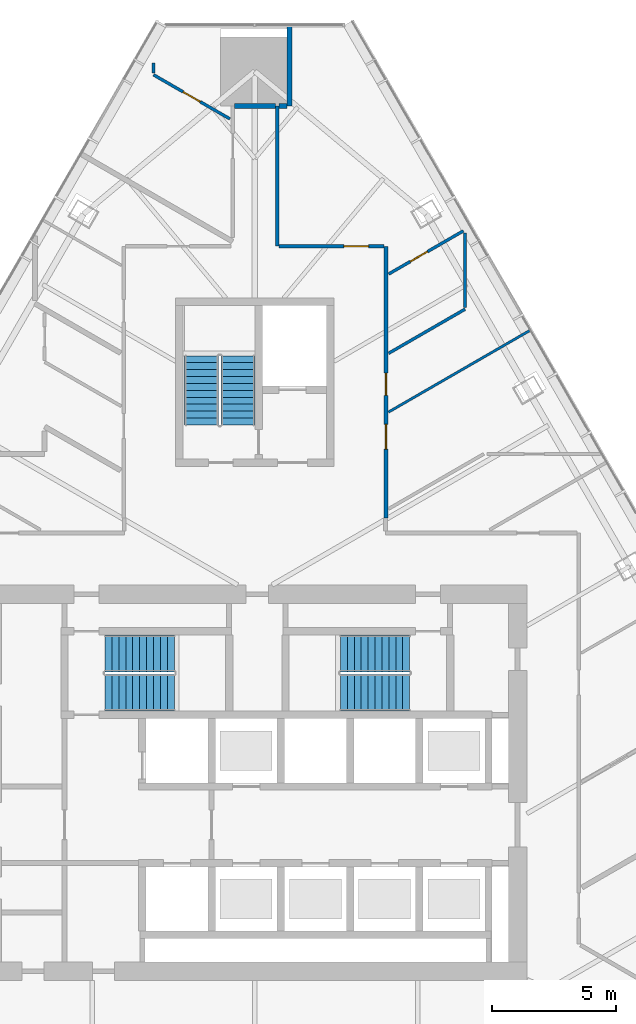
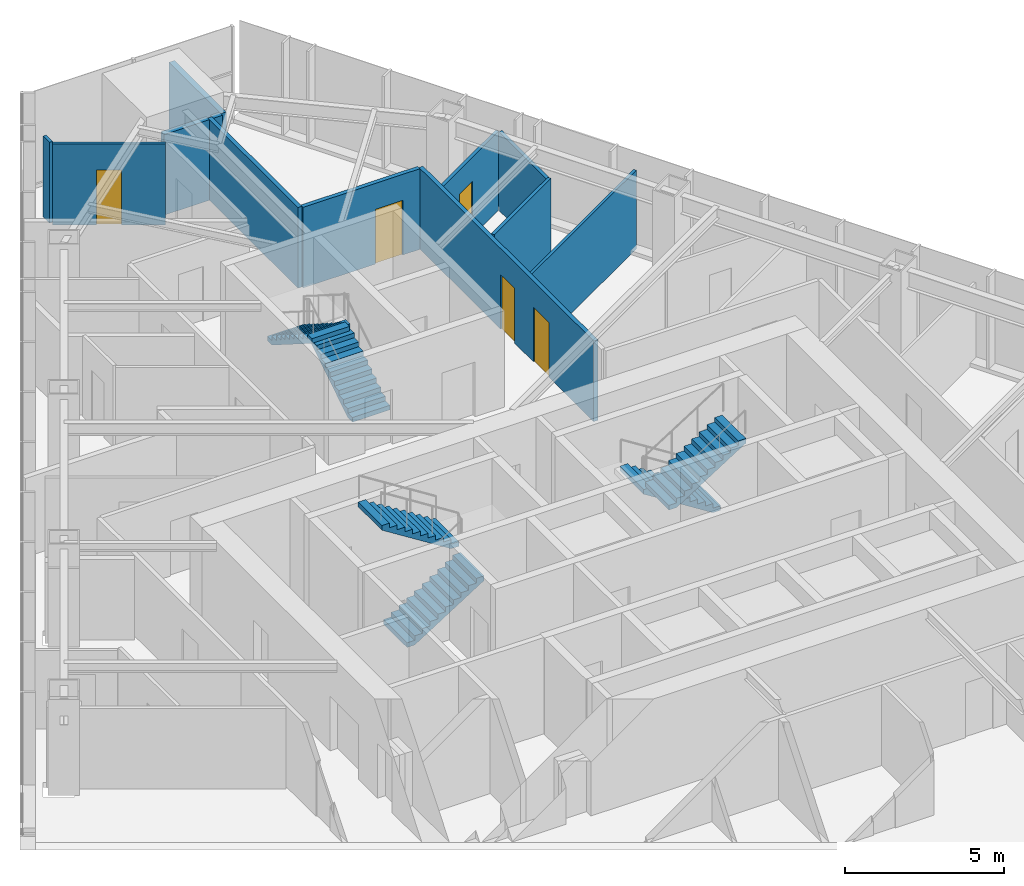
# One storey, part 14 of 16: 12 walls, 6 stair flights, 5 doors, 5 openings, 3 elements without a shape of their own.
"""IFC4 building model written with IfcOpenShell, lengths in metres."""

from ifc_helpers import new_model, si_unit, direction, frame, frame_2d, origin, place, context, subcontext, project, spatial, polyline, rectangle, outline, extrude, material, layer, layer_set, type_object, element, fill, aggregate, save


model = new_model("IFC4")

# Units and contexts
model_context = context("Model", 3, precision=1e-05, world=origin(), true_north=direction((0.0, 1.0)))
body_context = subcontext(model_context, "Body", "Model", "MODEL_VIEW")
ifc_project = project(units=[si_unit("LENGTHUNIT", "METRE"), si_unit("AREAUNIT", "SQUARE_METRE"), si_unit("VOLUMEUNIT", "CUBIC_METRE"), si_unit("PLANEANGLEUNIT", "RADIAN"), si_unit("MASSUNIT", "GRAM", prefix="KILO")], contexts=[model_context])

# Site, building, storey
site_placement = place(None, origin())
site = spatial("IfcSite", under=ifc_project, at=site_placement, CompositionType="ELEMENT")
building_placement = place(site_placement, origin())
building = spatial("IfcBuilding", under=site, at=building_placement, Name="Firuza Gate Tower and Library", CompositionType="ELEMENT")
storey_placement = place(building_placement, frame((0.0, 0.0, 229.89990234375)))
storey = spatial("IfcBuildingStorey", under=building, at=storey_placement, Name="L54", CompositionType="ELEMENT", Elevation=229.89990234375)

# Wall, opening, door
ifc_material_1 = material(Name="Gypsum board partition")
ifc_layer_1 = layer(ifc_material_1, 0.14990234375)
ifc_layer_set_1 = layer_set([ifc_layer_1], Name="Corridor wall 150 double board on steel studs")
wall_type_1 = type_object("IfcWallType", Name="Corridor wall 150 double board on steel studs", PredefinedType="PARTITIONING", material=ifc_layer_set_1)
wall_1_placement = place(storey_placement, frame((75.97509765625, 96.699951171875, 0.0), z_axis=(0.0, 0.0, 1.0), x_axis=(1.0, 0.0, 0.0)))
wall_1 = element("IfcWall", 1, at=wall_1_placement, inside=storey, type_object=wall_type_1, Name="f:L54:w017", PredefinedType="PARTITIONING", context=body_context, shape_type="SweptSolid", body=[
    extrude(rectangle(XDim=4.24951171875, YDim=0.14990234375, at=frame_2d((2.124755859375, 0.0))), origin(), (0.0, 0.0, 1.0), 3.10009765625),
])
opening_1_placement = place(wall_1_placement, frame((2.6220703125, 0.0, 0.0)))
opening_1 = element("IfcOpeningElement", 2, at=opening_1_placement, cuts=wall_1, Name="Opening L54-12", PredefinedType="OPENING", context=body_context, shape_type="SweptSolid", body=[
    extrude(rectangle(XDim=1.0, YDim=2.10009765625, at=frame_2d((0.5, 1.050048828125))), frame((0.0, 0.0849609375, 0.0), z_axis=(0.0, -1.0, 0.0), x_axis=(1.0, 0.0, 0.0)), (0.0, 0.0, 1.0), 0.169921875),
])
ifc_material_2 = material(Name="Steel door and timber leaf", Category="steel")
door_type_1 = type_object("IfcDoorType", Name="Fire door 1000 x 2100 steel frame, timber leaf", OperationType="NOTDEFINED", PredefinedType="DOOR", material=ifc_material_2)
door_1_placement = place(opening_1_placement, origin())
door_1 = element("IfcDoor", 3, at=door_1_placement, inside=storey, type_object=door_type_1, Name="f:L54:d012", OperationType="SINGLE_SWING_LEFT", OverallHeight=2.10009765625, OverallWidth=1.0, PredefinedType="DOOR", context=body_context, shape_type="SweptSolid", body=[
    extrude(rectangle(XDim=1.0, YDim=2.10009765625, at=frame_2d((0.5, 1.050048828125))), frame((0.0, 0.02490234375, 0.0), z_axis=(0.0, -1.0, 0.0), x_axis=(1.0, 0.0, 0.0)), (0.0, 0.0, 1.0), 0.050048828125),
])
fill(opening_1, door_1)

# Wall, openings, doors
wall_2_placement = place(storey_placement, frame((80.300048828125, 96.699462890625, 0.0), z_axis=(0.0, 0.0, 1.0), x_axis=(0.0, -1.0, 0.0)))
wall_2 = element("IfcWall", 4, at=wall_2_placement, inside=storey, type_object=wall_type_1, Name="f:L54:w045", PredefinedType="PARTITIONING", context=body_context, shape_type="SweptSolid", body=[
    extrude(rectangle(XDim=10.9990234375, YDim=0.14990234375, at=frame_2d((5.49951171875, 0.0))), origin(), (0.0, 0.0, 1.0), 3.10009765625),
])
opening_2_placement = place(wall_2_placement, frame((5.12939453125, 0.0, 0.0)))
opening_2 = element("IfcOpeningElement", 5, at=opening_2_placement, cuts=wall_2, Name="Opening L54-24", PredefinedType="OPENING", context=body_context, shape_type="SweptSolid", body=[
    extrude(rectangle(XDim=0.89990234375, YDim=2.10009765625, at=frame_2d((0.449951171875, 1.050048828125))), frame((0.0, 0.0849609375, 0.0), z_axis=(0.0, -1.0, 0.0), x_axis=(1.0, 0.0, 0.0)), (0.0, 0.0, 1.0), 0.169921875),
])
opening_3_placement = place(wall_2_placement, frame((7.2021484375, 0.0, 0.0)))
opening_3 = element("IfcOpeningElement", 6, at=opening_3_placement, cuts=wall_2, Name="Opening L54-25", PredefinedType="OPENING", context=body_context, shape_type="SweptSolid", body=[
    extrude(rectangle(XDim=1.0, YDim=2.10009765625, at=frame_2d((0.5, 1.050048828125))), frame((0.0, 0.0849609375, 0.0), z_axis=(0.0, -1.0, 0.0), x_axis=(1.0, 0.0, 0.0)), (0.0, 0.0, 1.0), 0.169921875),
])
door_2_placement = place(opening_3_placement, origin())
door_2 = element("IfcDoor", 7, at=door_2_placement, inside=storey, type_object=door_type_1, Name="f:L54:d025", OperationType="SINGLE_SWING_LEFT", OverallHeight=2.10009765625, OverallWidth=1.0, PredefinedType="DOOR", context=body_context, shape_type="SweptSolid", body=[
    extrude(rectangle(XDim=1.0, YDim=2.10009765625, at=frame_2d((0.5, 1.050048828125))), frame((0.0, 0.02490234375, 0.0), z_axis=(0.0, -1.0, 0.0), x_axis=(1.0, 0.0, 0.0)), (0.0, 0.0, 1.0), 0.050048828125),
])
fill(opening_3, door_2)
ifc_material_3 = material(Name="Steel door and timber leaf", Category="steel")
door_type_2 = type_object("IfcDoorType", Name="Fire door 900 x 2100 steel frame, timber leaf", OperationType="NOTDEFINED", PredefinedType="DOOR", material=ifc_material_3)
door_3_placement = place(opening_2_placement, origin())
door_3 = element("IfcDoor", 8, at=door_3_placement, inside=storey, type_object=door_type_2, Name="f:L54:d024", OperationType="SINGLE_SWING_LEFT", OverallHeight=2.10009765625, OverallWidth=0.89990234375, PredefinedType="DOOR", context=body_context, shape_type="SweptSolid", body=[
    extrude(rectangle(XDim=0.89990234375, YDim=2.10009765625, at=frame_2d((0.449951171875, 1.050048828125))), frame((0.0, 0.02490234375, 0.0), z_axis=(0.0, -1.0, 0.0), x_axis=(1.0, 0.0, 0.0)), (0.0, 0.0, 1.0), 0.050048828125),
])
fill(opening_2, door_3)

# Walls
wall_3_placement = place(storey_placement, frame((75.89990234375, 96.699951171875, 0.0), z_axis=(0.0, 0.0, 1.0), x_axis=(0.0, 1.0, 0.0)))
element("IfcWall", 9, at=wall_3_placement, inside=storey, type_object=wall_type_1, Name="f:L54:w049", PredefinedType="PARTITIONING", context=body_context, shape_type="SweptSolid", body=[
    extrude(rectangle(XDim=5.672607421875, YDim=0.14990234375, at=frame_2d((2.83642578125, 0.0))), origin(), (0.0, 0.0, 1.0), 3.10009765625),
])
ifc_material_4 = material(Name="Gypsum board partition")
ifc_layer_2 = layer(ifc_material_4, 0.199951171875)
ifc_layer_set_2 = layer_set([ifc_layer_2], Name="Demising wall 200 acoustic double stud")
wall_type_2 = type_object("IfcWallType", Name="Demising wall 200 acoustic double stud", PredefinedType="PARTITIONING", material=ifc_layer_set_2)
wall_4_placement = place(storey_placement, frame((74.175537109375, 102.373046875, 0.0), z_axis=(0.0, 0.0, 1.0), x_axis=(1.0, 0.0, 0.0)))
element("IfcWall", 10, at=wall_4_placement, inside=storey, type_object=wall_type_2, Name="f:L54:w018", PredefinedType="PARTITIONING", context=body_context, shape_type="SweptSolid", body=[
    extrude(rectangle(XDim=1.6494140625, YDim=0.199951171875, at=frame_2d((0.82470703125, 0.0))), origin(), (0.0, 0.0, 1.0), 3.09716796875),
])
wall_5_placement = place(storey_placement, frame((76.39990234375, 102.373046875, 0.0), z_axis=(0.0, 0.0, 1.0), x_axis=(0.0, 1.0, 0.0)))
element("IfcWall", 11, at=wall_5_placement, inside=storey, type_object=wall_type_2, Name="f:L54:w048", PredefinedType="PARTITIONING", context=body_context, shape_type="SweptSolid", body=[
    extrude(rectangle(XDim=3.259521484375, YDim=0.199951171875, at=frame_2d((1.6298828125, 0.0))), origin(), (0.0, 0.0, 1.0), 3.10009765625),
])
wall_6_placement = place(storey_placement, frame((75.97509765625, 102.373046875, 0.0), z_axis=(0.0, 0.0, 1.0), x_axis=(1.0, 0.0, 0.0)))
element("IfcWall", 12, at=wall_6_placement, inside=storey, type_object=wall_type_2, Name="f:L54:w095", PredefinedType="PARTITIONING", context=body_context, shape_type="SweptSolid", body=[
    extrude(rectangle(XDim=0.324462890625, YDim=0.199951171875, at=frame_2d((0.162109375, 0.0))), origin(), (0.0, 0.0, 1.0), 3.10009765625),
])
ifc_material_5 = material(Name="Gypsum board partition")
ifc_layer_3 = layer(ifc_material_5, 0.10009765625)
ifc_layer_set_3 = layer_set([ifc_layer_3], Name="Partition 100 gypsum board on steel studs")
wall_type_3 = type_object("IfcWallType", Name="Partition 100 gypsum board on steel studs", PredefinedType="PARTITIONING", material=ifc_layer_set_3)
wall_7_placement = place(storey_placement, frame((80.40087890625, 89.990966796875, 0.0), z_axis=(0.0, 0.0, 1.0), x_axis=(0.866025831117, 0.499999259837, 0.0)))
element("IfcWall", 13, at=wall_7_placement, inside=storey, type_object=wall_type_3, Name="f:L54:w032", PredefinedType="PARTITIONING", context=body_context, shape_type="SweptSolid", body=[
    extrude(rectangle(XDim=6.59130859375, YDim=0.10009765625, at=frame_2d((3.295654296875, 0.0))), origin(), (0.0, 0.0, 1.0), 3.022216796875),
])
ifc_material_6 = material(Name="Gypsum board partition")
ifc_layer_4 = layer(ifc_material_6, 0.1201171875)
ifc_layer_set_4 = layer_set([ifc_layer_4], Name="Wet-area partition 120 moisture-resistant board")
wall_type_4 = type_object("IfcWallType", Name="Wet-area partition 120 moisture-resistant board", PredefinedType="PARTITIONING", material=ifc_layer_set_4)
wall_8_placement = place(storey_placement, frame((80.40966796875, 92.3701171875, 0.0), z_axis=(0.0, 0.0, 1.0), x_axis=(0.866028357664, 0.499994883695, 0.0)))
element("IfcWall", 14, at=wall_8_placement, inside=storey, type_object=wall_type_4, Name="f:L54:w033", PredefinedType="PARTITIONING", context=body_context, shape_type="SweptSolid", body=[
    extrude(rectangle(XDim=3.568359375, YDim=0.1201171875, at=frame_2d((1.7841796875, 0.0))), origin(), (0.0, 0.0, 1.0), 3.10009765625),
])

# Wall, opening, door
wall_9_placement = place(storey_placement, frame((83.433349609375, 97.3212890625, 0.0), z_axis=(0.0, 0.0, 1.0), x_axis=(-0.866022549299, -0.50000494408, 0.0)))
wall_9 = element("IfcWall", 15, at=wall_9_placement, inside=storey, type_object=wall_type_4, Name="f:L54:w034", PredefinedType="PARTITIONING", context=body_context, shape_type="SweptSolid", body=[
    extrude(rectangle(XDim=3.4912109375, YDim=0.1201171875, at=frame_2d((1.74560546875, 0.0))), origin(), (0.0, 0.0, 1.0), 3.022216796875),
])
opening_4_placement = place(wall_9_placement, frame((1.675537109375, 0.0, 0.0)))
opening_4 = element("IfcOpeningElement", 16, at=opening_4_placement, cuts=wall_9, Name="Opening L54-21", PredefinedType="OPENING", context=body_context, shape_type="SweptSolid", body=[
    extrude(rectangle(XDim=0.800048828125, YDim=2.10009765625, at=frame_2d((0.39990234375, 1.050048828125))), frame((0.0, 0.070068359375, 0.0), z_axis=(0.0, -1.0, 0.0), x_axis=(1.0, 0.0, 0.0)), (0.0, 0.0, 1.0), 0.14013671875),
])
ifc_material_7 = material(Name="Timber door", Category="wood")
door_type_3 = type_object("IfcDoorType", Name="Door 800 x 2100 timber leaf", OperationType="NOTDEFINED", PredefinedType="DOOR", material=ifc_material_7)
door_4_placement = place(opening_4_placement, origin())
door_4 = element("IfcDoor", 17, at=door_4_placement, inside=storey, type_object=door_type_3, Name="f:L54:d021", OperationType="SINGLE_SWING_LEFT", OverallHeight=2.10009765625, OverallWidth=0.800048828125, PredefinedType="DOOR", context=body_context, shape_type="SweptSolid", body=[
    extrude(rectangle(XDim=0.800048828125, YDim=2.10009765625, at=frame_2d((0.39990234375, 1.050048828125))), frame((0.0, 0.02490234375, 0.0), z_axis=(0.0, -1.0, 0.0), x_axis=(1.0, 0.0, 0.0)), (0.0, 0.0, 1.0), 0.050048828125),
])
fill(opening_4, door_4)

# Walls
wall_10_placement = place(storey_placement, frame((83.5, 94.223876953125, 0.0), z_axis=(0.0, 0.0, 1.0), x_axis=(0.0, 1.0, 0.0)))
element("IfcWall", 18, at=wall_10_placement, inside=storey, type_object=wall_type_4, Name="f:L54:w043", PredefinedType="PARTITIONING", context=body_context, shape_type="SweptSolid", body=[
    extrude(rectangle(XDim=3.02197265625, YDim=0.1201171875, at=frame_2d((1.510986328125, 0.0))), origin(), (0.0, 0.0, 1.0), 3.022216796875),
])
wall_11_placement = place(storey_placement, frame((70.89990234375, 103.703125, 0.0), z_axis=(0.0, 0.0, 1.0), x_axis=(0.0, 1.0, 0.0)))
element("IfcWall", 19, at=wall_11_placement, inside=storey, type_object=wall_type_4, Name="f:L54:w055", PredefinedType="PARTITIONING", context=body_context, shape_type="SweptSolid", body=[
    extrude(rectangle(XDim=0.4033203125, YDim=0.1201171875, at=frame_2d((0.20166015625, 0.0))), origin(), (0.0, 0.0, 1.0), 3.10009765625),
])

# Wall, opening, door
wall_12_placement = place(storey_placement, frame((70.900146484375, 103.63427734375, 0.0), z_axis=(0.0, 0.0, 1.0), x_axis=(0.866028357664, -0.499994883695, 0.0)))
wall_12 = element("IfcWall", 20, at=wall_12_placement, inside=storey, type_object=wall_type_4, Name="f:L54:w073", PredefinedType="PARTITIONING", context=body_context, shape_type="SweptSolid", body=[
    extrude(rectangle(XDim=3.568359375, YDim=0.1201171875, at=frame_2d((1.7841796875, 0.0))), origin(), (0.0, 0.0, 1.0), 3.10009765625),
])
opening_5_placement = place(wall_12_placement, frame((1.38427734375, 0.0, 0.0)))
opening_5 = element("IfcOpeningElement", 21, at=opening_5_placement, cuts=wall_12, Name="Opening L54-35", PredefinedType="OPENING", context=body_context, shape_type="SweptSolid", body=[
    extrude(rectangle(XDim=0.800048828125, YDim=2.10009765625, at=frame_2d((0.39990234375, 1.050048828125))), frame((0.0, 0.070068359375, 0.0), z_axis=(0.0, -1.0, 0.0), x_axis=(1.0, 0.0, 0.0)), (0.0, 0.0, 1.0), 0.14013671875),
])
door_5_placement = place(opening_5_placement, origin())
door_5 = element("IfcDoor", 22, at=door_5_placement, inside=storey, type_object=door_type_3, Name="f:L54:d035", OperationType="SINGLE_SWING_LEFT", OverallHeight=2.10009765625, OverallWidth=0.800048828125, PredefinedType="DOOR", context=body_context, shape_type="SweptSolid", body=[
    extrude(rectangle(XDim=0.800048828125, YDim=2.10009765625, at=frame_2d((0.39990234375, 1.050048828125))), frame((0.0, 0.02490234375, 0.0), z_axis=(0.0, -1.0, 0.0), x_axis=(1.0, 0.0, 0.0)), (0.0, 0.0, 1.0), 0.050048828125),
])
fill(opening_5, door_5)

# Stair, stair flights
ifc_material_8 = material(Name="Concrete C35/45", Category="concrete")
stair_type_1 = type_object("IfcStairType", Name="Exit stair ST16", PredefinedType="HALF_TURN_STAIR", material=ifc_material_8)
placement = place(storey_placement, origin())
stair_1 = element("IfcStair", 23, at=placement, inside=storey, type_object=stair_type_1, Name="L54 Stair ST3", PredefinedType="HALF_TURN_STAIR")
ifc_material_9 = material(Name="Concrete C35/45", Category="concrete")
stair_flight_type_1 = type_object("IfcStairFlightType", Name="Stair flight 11 risers 177.3 width 1370", PredefinedType="STRAIGHT", material=ifc_material_9)
stair_flight_1_placement = place(storey_placement, frame((74.31494140625, 89.469970703125, 0.0), z_axis=(0.0, 0.0, 1.0), x_axis=(0.0, 1.0, 0.0)))
stair_flight_1 = element("IfcStairFlight", 24, at=stair_flight_1_placement, type_object=stair_flight_type_1, Name="ST3 flight 1", NumberOfRisers=11, NumberOfTreads=10, PredefinedType="STRAIGHT", RiserHeight=0.177272727, TreadLength=0.28, context=body_context, shape_type="SweptSolid", body=[
    extrude(outline(polyline([(0.0, 0.0), (0.0, 0.17724609375), (0.280029296875, 0.17724609375), (0.280029296875, 0.3544921875), (0.56005859375, 0.3544921875), (0.56005859375, 0.53173828125), (0.840087890625, 0.53173828125), (0.840087890625, 0.708984375), (1.1201171875, 0.708984375), (1.1201171875, 0.886474609375), (1.39990234375, 0.886474609375), (1.39990234375, 1.063720703125), (1.679931640625, 1.063720703125), (1.679931640625, 1.240966796875), (1.9599609375, 1.240966796875), (1.9599609375, 1.418212890625), (2.239990234375, 1.418212890625), (2.239990234375, 1.595458984375), (2.52001953125, 1.595458984375), (2.52001953125, 1.772705078125), (2.800048828125, 1.772705078125), (2.800048828125, 1.949951171875), (2.800048828125, 1.59521484375), (0.2802734375, 0.0), (0.0, 0.0)])), frame((0.0, 0.68505859375, 0.0), z_axis=(0.0, -1.0, 0.0), x_axis=(1.0, 0.0, 0.0)), (0.0, 0.0, 1.0), 1.3701171875),
])
stair_flight_2_placement = place(storey_placement, frame((72.844970703125, 92.27001953125, 1.9501953125), z_axis=(0.0, 0.0, 1.0), x_axis=(0.0, -1.0, 0.0)))
stair_flight_2 = element("IfcStairFlight", 25, at=stair_flight_2_placement, type_object=stair_flight_type_1, Name="ST3 flight 2", NumberOfRisers=11, NumberOfTreads=10, PredefinedType="STRAIGHT", RiserHeight=0.177272727, TreadLength=0.28, context=body_context, shape_type="SweptSolid", body=[
    extrude(outline(polyline([(0.0, 0.0), (0.0, 0.17724609375), (0.280029296875, 0.17724609375), (0.280029296875, 0.3544921875), (0.56005859375, 0.3544921875), (0.56005859375, 0.53173828125), (0.840087890625, 0.53173828125), (0.840087890625, 0.708984375), (1.1201171875, 0.708984375), (1.1201171875, 0.886474609375), (1.39990234375, 0.886474609375), (1.39990234375, 1.063720703125), (1.679931640625, 1.063720703125), (1.679931640625, 1.240966796875), (1.9599609375, 1.240966796875), (1.9599609375, 1.418212890625), (2.239990234375, 1.418212890625), (2.239990234375, 1.595458984375), (2.52001953125, 1.595458984375), (2.52001953125, 1.772705078125), (2.800048828125, 1.772705078125), (2.800048828125, 1.949951171875), (2.800048828125, 1.59521484375), (0.2802734375, 0.0), (0.0, 0.0)])), frame((0.0, 0.68505859375, 0.0), z_axis=(0.0, -1.0, 0.0), x_axis=(1.0, 0.0, 0.0)), (0.0, 0.0, 1.0), 1.3701171875),
])
aggregate(stair_1, [stair_flight_1, stair_flight_2])

ifc_material_10 = material(Name="Concrete C35/45", Category="concrete")
stair_type_2 = type_object("IfcStairType", Name="Exit stair ST7", PredefinedType="HALF_TURN_STAIR", material=ifc_material_10)
stair_2 = element("IfcStair", 26, at=placement, inside=storey, type_object=stair_type_2, Name="L54 Stair ST1", PredefinedType="HALF_TURN_STAIR")
ifc_material_11 = material(Name="Concrete C35/45", Category="concrete")
stair_flight_type_2 = type_object("IfcStairFlightType", Name="Stair flight 11 risers 177.3 width 1490", PredefinedType="STRAIGHT", material=ifc_material_11)
stair_flight_3_placement = place(storey_placement, frame((68.93994140625, 78.64501953125, 0.0), z_axis=(0.0, 0.0, 1.0), x_axis=(1.0, 0.0, 0.0)))
stair_flight_3 = element("IfcStairFlight", 27, at=stair_flight_3_placement, type_object=stair_flight_type_2, Name="ST1 flight 1", NumberOfRisers=11, NumberOfTreads=10, PredefinedType="STRAIGHT", RiserHeight=0.177272727, TreadLength=0.28, context=body_context, shape_type="SweptSolid", body=[
    extrude(outline(polyline([(0.0, 0.0), (0.0, 0.17724609375), (0.280029296875, 0.17724609375), (0.280029296875, 0.3544921875), (0.56005859375, 0.3544921875), (0.56005859375, 0.53173828125), (0.840087890625, 0.53173828125), (0.840087890625, 0.708984375), (1.1201171875, 0.708984375), (1.1201171875, 0.886474609375), (1.39990234375, 0.886474609375), (1.39990234375, 1.063720703125), (1.679931640625, 1.063720703125), (1.679931640625, 1.240966796875), (1.9599609375, 1.240966796875), (1.9599609375, 1.418212890625), (2.239990234375, 1.418212890625), (2.239990234375, 1.595458984375), (2.52001953125, 1.595458984375), (2.52001953125, 1.772705078125), (2.800048828125, 1.772705078125), (2.800048828125, 1.949951171875), (2.800048828125, 1.59521484375), (0.2802734375, 0.0), (0.0, 0.0)])), frame((0.0, 0.7451171875, 0.0), z_axis=(0.0, -1.0, 0.0), x_axis=(1.0, 0.0, 0.0)), (0.0, 0.0, 1.0), 1.489990234375),
])
stair_flight_4_placement = place(storey_placement, frame((71.739990234375, 80.235107421875, 1.9501953125), z_axis=(0.0, 0.0, 1.0), x_axis=(-1.0, 0.0, 0.0)))
stair_flight_4 = element("IfcStairFlight", 28, at=stair_flight_4_placement, type_object=stair_flight_type_2, Name="ST1 flight 2", NumberOfRisers=11, NumberOfTreads=10, PredefinedType="STRAIGHT", RiserHeight=0.177272727, TreadLength=0.28, context=body_context, shape_type="SweptSolid", body=[
    extrude(outline(polyline([(0.0, 0.0), (0.0, 0.17724609375), (0.280029296875, 0.17724609375), (0.280029296875, 0.3544921875), (0.56005859375, 0.3544921875), (0.56005859375, 0.53173828125), (0.840087890625, 0.53173828125), (0.840087890625, 0.708984375), (1.1201171875, 0.708984375), (1.1201171875, 0.886474609375), (1.39990234375, 0.886474609375), (1.39990234375, 1.063720703125), (1.679931640625, 1.063720703125), (1.679931640625, 1.240966796875), (1.9599609375, 1.240966796875), (1.9599609375, 1.418212890625), (2.239990234375, 1.418212890625), (2.239990234375, 1.595458984375), (2.52001953125, 1.595458984375), (2.52001953125, 1.772705078125), (2.800048828125, 1.772705078125), (2.800048828125, 1.949951171875), (2.800048828125, 1.59521484375), (0.2802734375, 0.0), (0.0, 0.0)])), frame((0.0, 0.7451171875, 0.0), z_axis=(0.0, -1.0, 0.0), x_axis=(1.0, 0.0, 0.0)), (0.0, 0.0, 1.0), 1.489990234375),
])
aggregate(stair_2, [stair_flight_3, stair_flight_4])

stair_3 = element("IfcStair", 29, at=placement, inside=storey, type_object=stair_type_2, Name="L54 Stair ST2", PredefinedType="HALF_TURN_STAIR")
stair_flight_5_placement = place(storey_placement, frame((81.260009765625, 80.235107421875, 0.0), z_axis=(0.0, 0.0, 1.0), x_axis=(-1.0, 0.0, 0.0)))
stair_flight_5 = element("IfcStairFlight", 30, at=stair_flight_5_placement, type_object=stair_flight_type_2, Name="ST2 flight 1", NumberOfRisers=11, NumberOfTreads=10, PredefinedType="STRAIGHT", RiserHeight=0.177272727, TreadLength=0.28, context=body_context, shape_type="SweptSolid", body=[
    extrude(outline(polyline([(0.0, 0.0), (0.0, 0.17724609375), (0.280029296875, 0.17724609375), (0.280029296875, 0.3544921875), (0.56005859375, 0.3544921875), (0.56005859375, 0.53173828125), (0.840087890625, 0.53173828125), (0.840087890625, 0.708984375), (1.1201171875, 0.708984375), (1.1201171875, 0.886474609375), (1.39990234375, 0.886474609375), (1.39990234375, 1.063720703125), (1.679931640625, 1.063720703125), (1.679931640625, 1.240966796875), (1.9599609375, 1.240966796875), (1.9599609375, 1.418212890625), (2.239990234375, 1.418212890625), (2.239990234375, 1.595458984375), (2.52001953125, 1.595458984375), (2.52001953125, 1.772705078125), (2.800048828125, 1.772705078125), (2.800048828125, 1.949951171875), (2.800048828125, 1.59521484375), (0.2802734375, 0.0), (0.0, 0.0)])), frame((0.0, 0.7451171875, 0.0), z_axis=(0.0, -1.0, 0.0), x_axis=(1.0, 0.0, 0.0)), (0.0, 0.0, 1.0), 1.489990234375),
])
stair_flight_6_placement = place(storey_placement, frame((78.4599609375, 78.64501953125, 1.9501953125), z_axis=(0.0, 0.0, 1.0), x_axis=(1.0, 0.0, 0.0)))
stair_flight_6 = element("IfcStairFlight", 31, at=stair_flight_6_placement, type_object=stair_flight_type_2, Name="ST2 flight 2", NumberOfRisers=11, NumberOfTreads=10, PredefinedType="STRAIGHT", RiserHeight=0.177272727, TreadLength=0.28, context=body_context, shape_type="SweptSolid", body=[
    extrude(outline(polyline([(0.0, 0.0), (0.0, 0.17724609375), (0.280029296875, 0.17724609375), (0.280029296875, 0.3544921875), (0.56005859375, 0.3544921875), (0.56005859375, 0.53173828125), (0.840087890625, 0.53173828125), (0.840087890625, 0.708984375), (1.1201171875, 0.708984375), (1.1201171875, 0.886474609375), (1.39990234375, 0.886474609375), (1.39990234375, 1.063720703125), (1.679931640625, 1.063720703125), (1.679931640625, 1.240966796875), (1.9599609375, 1.240966796875), (1.9599609375, 1.418212890625), (2.239990234375, 1.418212890625), (2.239990234375, 1.595458984375), (2.52001953125, 1.595458984375), (2.52001953125, 1.772705078125), (2.800048828125, 1.772705078125), (2.800048828125, 1.949951171875), (2.800048828125, 1.59521484375), (0.2802734375, 0.0), (0.0, 0.0)])), frame((0.0, 0.7451171875, 0.0), z_axis=(0.0, -1.0, 0.0), x_axis=(1.0, 0.0, 0.0)), (0.0, 0.0, 1.0), 1.489990234375),
])
aggregate(stair_3, [stair_flight_5, stair_flight_6])

save(model, "model.ifc")
